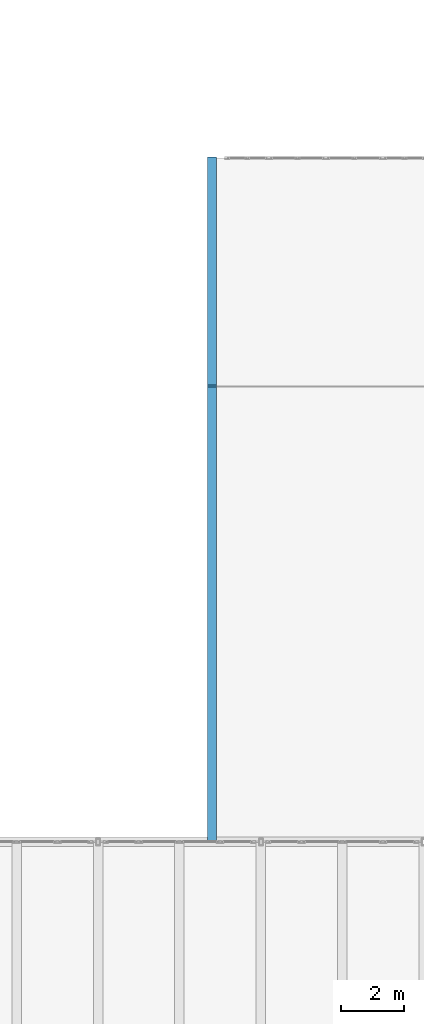
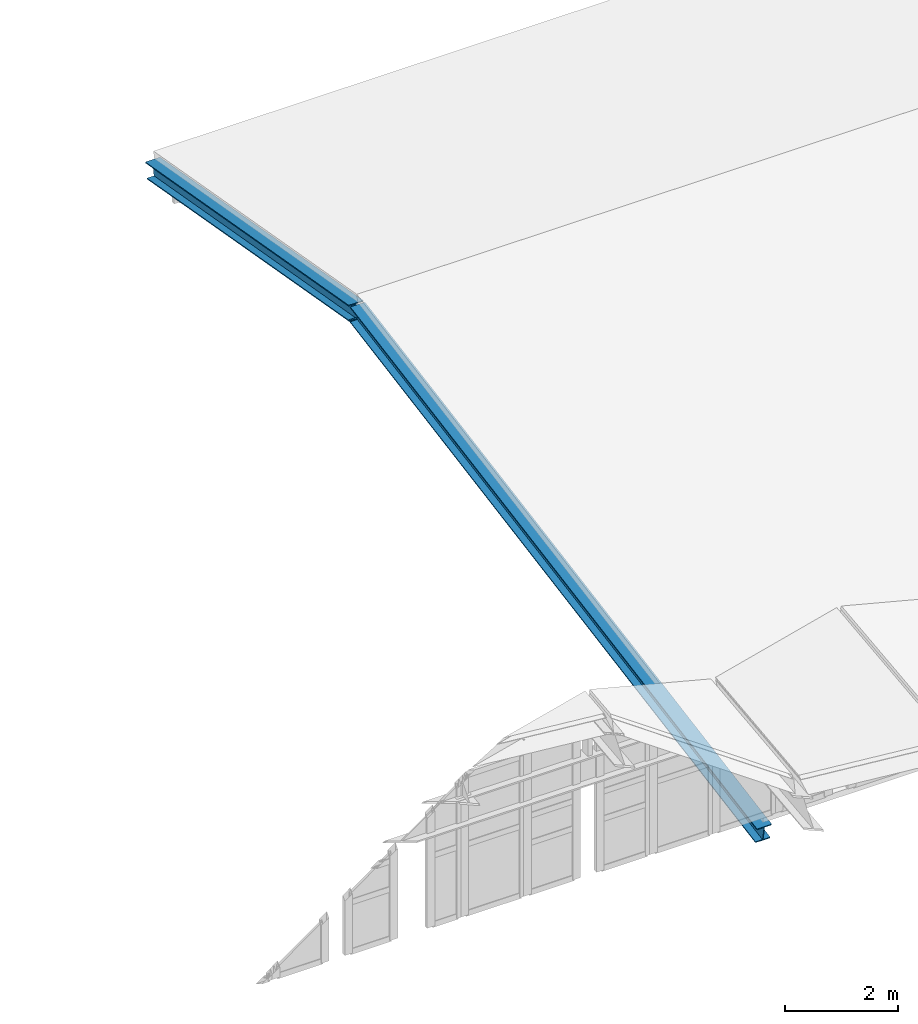
# One storey, part 12 of 39: 2 beams.
"""IFC4 building model written with IfcOpenShell, lengths in metres."""

from ifc_helpers import new_model, si_unit, direction, frame, origin, origin_2d, place, context, subcontext, project, spatial, i_section, extrude, material, material_profile, profile_set, type_object, element, save


model = new_model("IFC4")

# Units and contexts
model_context = context("Model", 3, precision=1e-05, world=origin(), true_north=direction((0.0, 1.0)))
body_context = subcontext(model_context, "Body", "Model", "MODEL_VIEW")
ifc_project = project(units=[si_unit("LENGTHUNIT", "METRE"), si_unit("AREAUNIT", "SQUARE_METRE"), si_unit("VOLUMEUNIT", "CUBIC_METRE"), si_unit("PLANEANGLEUNIT", "RADIAN"), si_unit("MASSUNIT", "GRAM", prefix="KILO"), si_unit("THERMODYNAMICTEMPERATUREUNIT", "KELVIN"), si_unit("POWERUNIT", "WATT")], contexts=[model_context])

# Site, building, storey
site_placement = place(None, origin())
site = spatial("IfcSite", under=ifc_project, at=site_placement, CompositionType="ELEMENT")
building_placement = place(site_placement, origin())
building = spatial("IfcBuilding", under=site, at=building_placement, Name="Kaldorven Railside Theatre", CompositionType="ELEMENT")
storey_placement = place(building_placement, frame((0.0, 0.0, 27.300048828125)))
storey = spatial("IfcBuildingStorey", under=building, at=storey_placement, Name="ROOF", CompositionType="ELEMENT", Elevation=27.300048828125)

# Beams
ifc_material = material(Name="Steel S355", Category="steel")
ifc_material_profile = material_profile(ifc_material, i_section(OverallWidth=0.300048828125, OverallDepth=0.340087890625, WebThickness=0.011962890625, FlangeThickness=0.021484375, at=origin_2d()), Name="HEB 340")
ifc_profile_set = profile_set([ifc_material_profile], Name="Steel S355")
beam_type = type_object("IfcBeamType", Name="BM-HEB340", PredefinedType="SPANDREL", material=ifc_profile_set)
beam_1_placement = place(storey_placement, frame((108.800048828125, 112.800048828125, -0.36865234375), z_axis=(0.0, 0.984679349401, 0.174374822904), x_axis=(-1.0, 0.0, 0.0)))
element("IfcBeam", 1, at=beam_1_placement, inside=storey, type_object=beam_type, Name="Backstage Monsoon Roof Rafter RAF-171", PredefinedType="SPANDREL", context=body_context, shape_type="SweptSolid", body=[
    extrude(i_section(OverallWidth=0.300048828125, OverallDepth=0.340087890625, WebThickness=0.011962890625, FlangeThickness=0.021484375, at=origin_2d()), origin(), (0.0, 0.0, 1.0), 14.6240234375),
])
beam_2_placement = place(storey_placement, frame((108.800048828125, 127.199951171875, 2.181396484375), z_axis=(0.0, 0.984796666739, -0.173711039313), x_axis=(-1.0, 0.0, 0.0)))
element("IfcBeam", 2, at=beam_2_placement, inside=storey, type_object=beam_type, Name="Backstage Monsoon Roof Rafter RAF-172", PredefinedType="SPANDREL", context=body_context, shape_type="SweptSolid", body=[
    extrude(i_section(OverallWidth=0.300048828125, OverallDepth=0.340087890625, WebThickness=0.011962890625, FlangeThickness=0.021484375, at=origin_2d()), origin(), (0.0, 0.0, 1.0), 7.31103515625),
])

save(model, "model.ifc")
